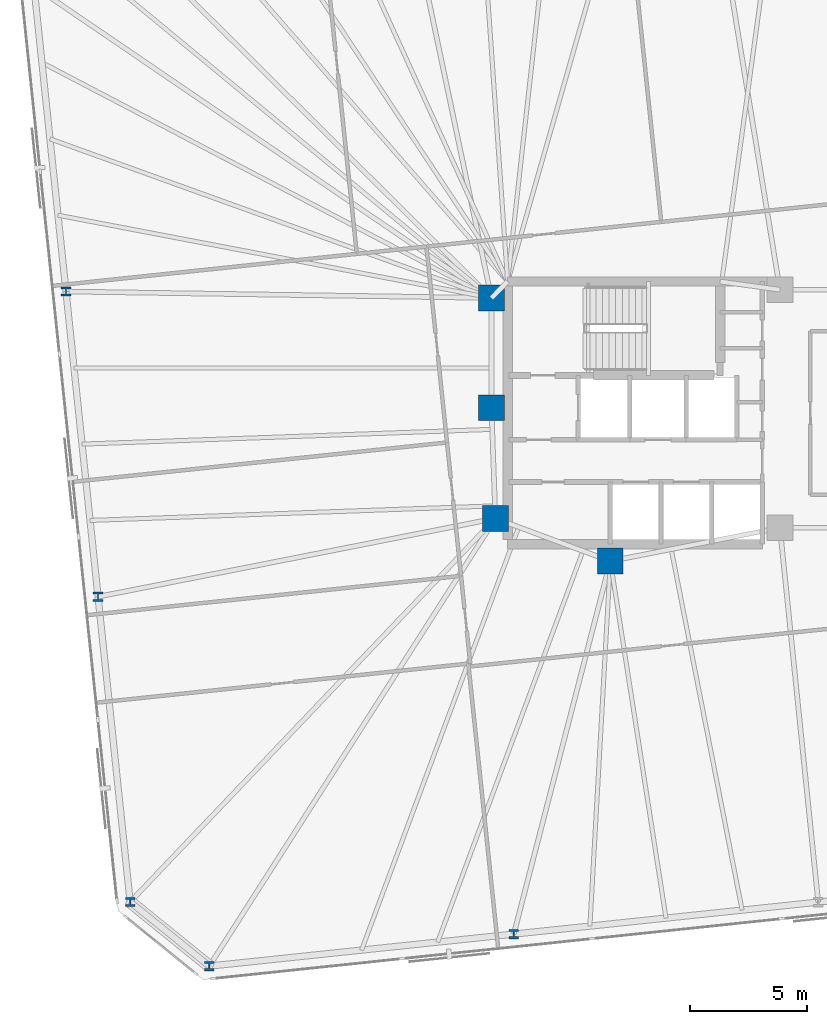
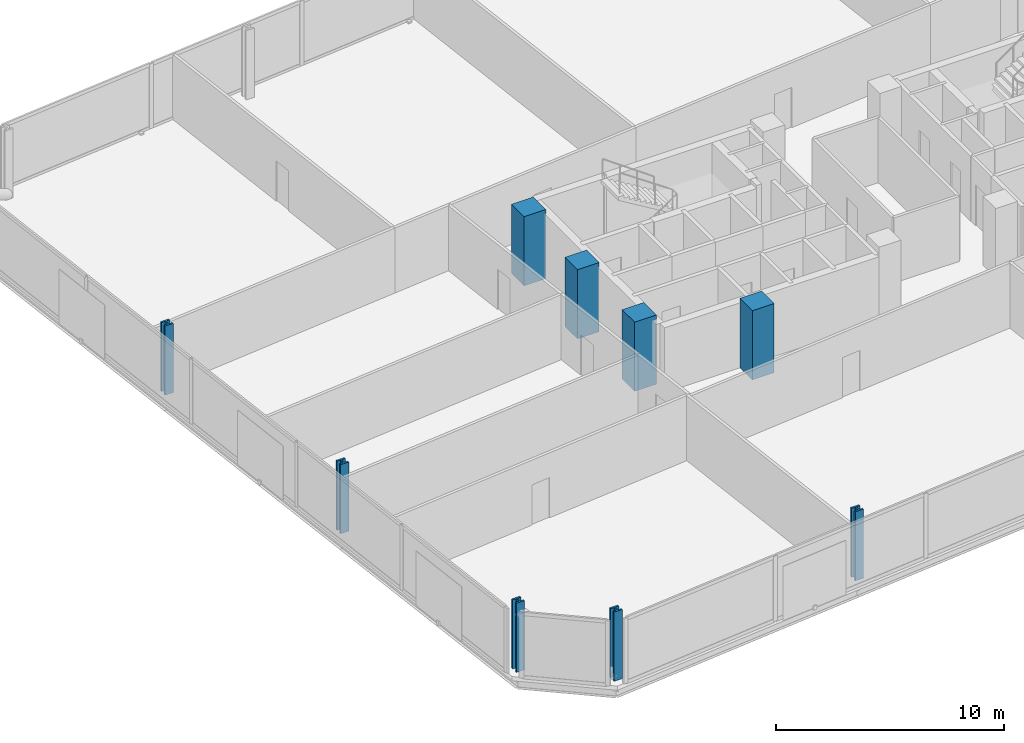
# One storey, part 1 of 18: 9 columns.
"""IFC4 building model written with IfcOpenShell, lengths in metres."""

from ifc_helpers import new_model, si_unit, direction, frame, origin, origin_2d, place, context, subcontext, project, spatial, rectangle, i_section, extrude, material, material_profile, profile_set, type_object, element, save


model = new_model("IFC4")

# Units and contexts
model_context = context("Model", 3, precision=1e-05, world=origin(), true_north=direction((0.0, 1.0)))
body_context = subcontext(model_context, "Body", "Model", "MODEL_VIEW")
ifc_project = project(units=[si_unit("LENGTHUNIT", "METRE"), si_unit("AREAUNIT", "SQUARE_METRE"), si_unit("VOLUMEUNIT", "CUBIC_METRE"), si_unit("PLANEANGLEUNIT", "RADIAN"), si_unit("MASSUNIT", "GRAM", prefix="KILO")], contexts=[model_context])

# Site, building, storey
site_placement = place(None, origin())
site = spatial("IfcSite", under=ifc_project, at=site_placement, CompositionType="ELEMENT")
building_placement = place(site_placement, origin())
building = spatial("IfcBuilding", under=site, at=building_placement, Name="Menara Jurai Vektor", CompositionType="ELEMENT")
storey_placement = place(building_placement, frame((0.0, 0.0, 117.0)))
storey = spatial("IfcBuildingStorey", under=building, at=storey_placement, Name="L29", CompositionType="ELEMENT", Elevation=117.0)

# Columns
ifc_material_1 = material(Name="Concrete C50/60", Category="concrete")
ifc_material_profile_1 = material_profile(ifc_material_1, rectangle(XDim=1.10009765625, YDim=1.10009765625, at=origin_2d()), Name="RC 1100x1100")
ifc_profile_set_1 = profile_set([ifc_material_profile_1], Name="Concrete C50/60")
column_type_1 = type_object("IfcColumnType", Name="STR-COL-RC1100", PredefinedType="COLUMN", material=ifc_profile_set_1)
for number, where, z_axis, x_axis, name in (
    (1, (-15.25, 4.89990234375, 0.0), (0.0, 0.0, 1.0), (1.0, 0.0, 0.0), "Core Spine Column CW-NW L29"),
    (2, (-15.25, 0.219970703125, 0.0), (0.0, 0.0, 1.0), (1.0, 0.0, 0.0), "Core Spine Column CW-WM L29"),
    (3, (-15.080078125, -4.5, 0.0), (0.0, 0.0, 1.0), (1.0, 0.0, 0.0), "Core Spine Column CW-SW L29"),
    (4, (-10.179931640625, -6.320068359375, 0.0), (0.0, 0.0, 1.0), (1.0, 0.0, 0.0), "Core Spine Column CW-SM L29"),
):
    element("IfcColumn", number, at=place(storey_placement, frame(where, z_axis=z_axis, x_axis=x_axis)), inside=storey, type_object=column_type_1, Name=name, PredefinedType="COLUMN", context=body_context, shape_type="SweptSolid", body=[
        extrude(rectangle(XDim=1.10009765625, YDim=1.10009765625, at=origin_2d()), origin(), (0.0, 0.0, 1.0), 3.699951171875),
    ])
ifc_material_2 = material(Name="Steel S460", Category="steel")
ifc_material_profile_2 = material_profile(ifc_material_2, i_section(OverallWidth=0.4130859375, OverallDepth=0.39794921875, WebThickness=0.055908203125, FlangeThickness=0.089111328125, FilletRadius=0.014892578125, at=origin_2d()), Name="HD 400x744")
ifc_profile_set_2 = profile_set([ifc_material_profile_2], Name="Steel S460")
column_type_2 = type_object("IfcColumnType", Name="STR-EXO-BLK2", PredefinedType="COLUMN", material=ifc_profile_set_2)
for number, where, z_axis, x_axis, name in (
    (5, (-27.2763671875, -23.586181640625, 0.0), (0.0, 0.0, 1.0), (1.0, 0.0, 0.0), "Exoskeleton Column BLK2-S1 L29"),
    (6, (-14.296630859375, -22.221923828125, 0.0), (0.0, 0.0, 1.0), (1.0, 0.0, 0.0), "Exoskeleton Column BLK2-S2 L29"),
    (7, (-33.388427734375, 5.175048828125, 0.0), (0.0, 0.0, 1.0), (1.0, 0.0, 0.0), "Exoskeleton Column BLK2-W2 L29"),
    (8, (-32.0205078125, -7.83837890625, 0.0), (0.0, 0.0, 1.0), (1.0, 0.0, 0.0), "Exoskeleton Column BLK2-W3 L29"),
    (9, (-30.65283203125, -20.85205078125, 0.0), (0.0, 0.0, 1.0), (1.0, 0.0, 0.0), "Exoskeleton Column BLK2-W4 L29"),
):
    element("IfcColumn", number, at=place(storey_placement, frame(where, z_axis=z_axis, x_axis=x_axis)), inside=storey, type_object=column_type_2, Name=name, PredefinedType="COLUMN", context=body_context, shape_type="SweptSolid", body=[
        extrude(i_section(OverallWidth=0.4130859375, OverallDepth=0.39794921875, WebThickness=0.055908203125, FlangeThickness=0.089111328125, FilletRadius=0.014892578125, at=origin_2d()), origin(), (0.0, 0.0, 1.0), 3.699951171875),
    ])

save(model, "model.ifc")
